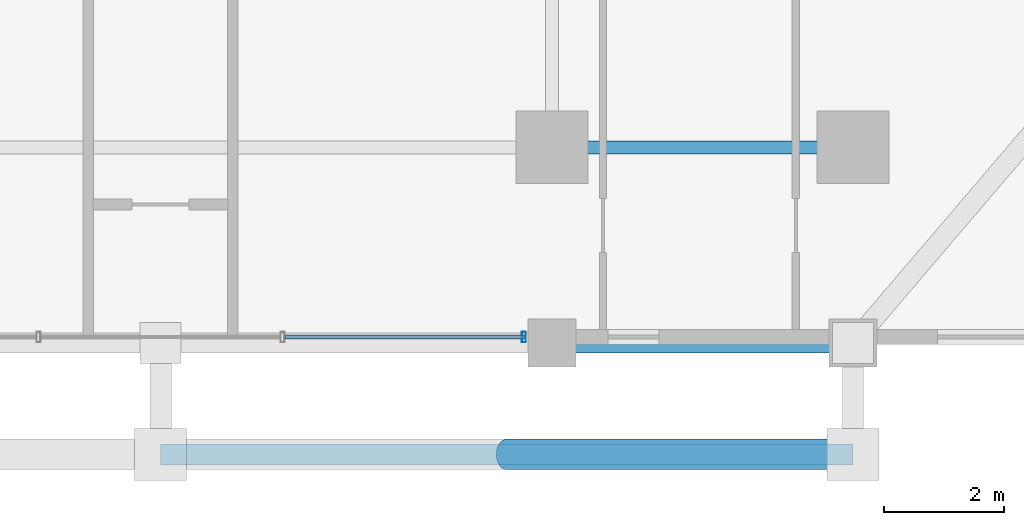
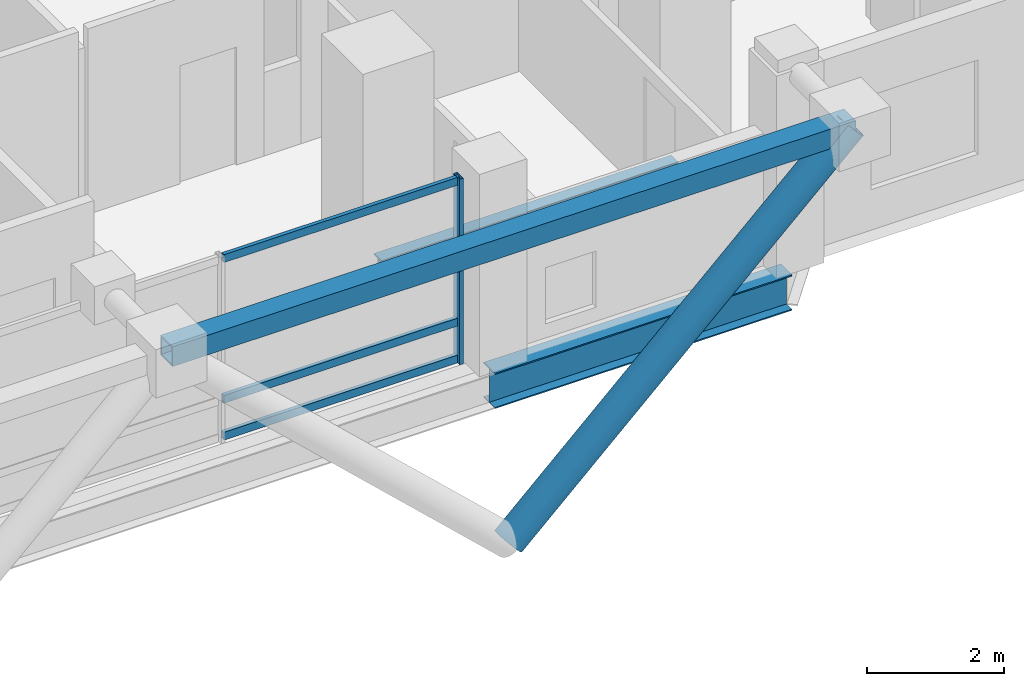
# One storey, part 3 of 25: 6 members, 2 beams, 1 element without a shape of its own.
"""IFC4 building model written with IfcOpenShell, lengths in metres."""

from ifc_helpers import new_model, si_unit, direction, frame, origin, origin_2d, place, context, subcontext, project, spatial, hollow_rectangle, hollow_circle, i_section, extrude, material, layer, layer_set, material_profile, profile_set, type_object, element, aggregate, save


model = new_model("IFC4")

# Units and contexts
model_context = context("Model", 3, precision=1e-05, world=origin(), true_north=direction((0.0, 1.0)))
body_context = subcontext(model_context, "Body", "Model", "MODEL_VIEW")
ifc_project = project(units=[si_unit("LENGTHUNIT", "METRE"), si_unit("AREAUNIT", "SQUARE_METRE"), si_unit("VOLUMEUNIT", "CUBIC_METRE"), si_unit("PLANEANGLEUNIT", "RADIAN"), si_unit("MASSUNIT", "GRAM", prefix="KILO")], contexts=[model_context])

# Site, building, storey
site_placement = place(None, origin())
site = spatial("IfcSite", under=ifc_project, at=site_placement, CompositionType="ELEMENT")
building_placement = place(site_placement, origin())
building = spatial("IfcBuilding", under=site, at=building_placement, Name="Barlavira Tower and Art Museum", CompositionType="ELEMENT")
storey_placement = place(building_placement, frame((0.0, 0.0, 162.0)))
storey = spatial("IfcBuildingStorey", under=building, at=storey_placement, Name="L41", CompositionType="ELEMENT", Elevation=162.0)

# Curtain wall, members
ifc_material_1 = material(Name="Low-iron coastal laminated glass", Category="glass")
ifc_layer = layer(ifc_material_1, 0.18994140625, Name="Low-iron coastal laminated glass")
ifc_layer_set = layer_set([ifc_layer], Name="Low-iron coastal laminated glass")
curtain_wall_type = type_object("IfcCurtainWallType", Name="Pale-Metal Unitised Curtain Wall Zone 2", PredefinedType="NOTDEFINED", material=ifc_layer_set)
curtain_wall_placement = place(storey_placement, origin())
curtain_wall = element("IfcCurtainWall", 1, at=curtain_wall_placement, inside=storey, type_object=curtain_wall_type, Name="L41 Curtain Wall CW2-L41-S-B3", PredefinedType="NOTDEFINED")
ifc_material_2 = material(Name="Pale anodised aluminium", Category="aluminium")
ifc_material_profile_1 = material_profile(ifc_material_2, hollow_rectangle(XDim=0.06494140625, YDim=0.179931640625, WallThickness=0.00390625, at=origin_2d()), Name="ALU-MULL 65x180x4")
ifc_profile_set_1 = profile_set([ifc_material_profile_1], Name="Pale anodised aluminium")
member_type_1 = type_object("IfcMemberType", Name="Curtain Wall Pale-Metal Mullion 65x180", PredefinedType="MULLION", material=ifc_profile_set_1)
member_1_placement = place(storey_placement, frame((6.034912109375, -23.14990234375, 0.0), z_axis=(0.0, 0.0, 1.0), x_axis=(1.0, 0.0, 0.0)))
member_1 = element("IfcMember", 2, at=member_1_placement, type_object=member_type_1, Name="CW2-L41-S-B3 Mullion 3", PredefinedType="MULLION", context=body_context, shape_type="SweptSolid", body=[
    extrude(hollow_rectangle(XDim=0.06494140625, YDim=0.179931640625, WallThickness=0.00390625, at=origin_2d()), origin(), (0.0, 0.0, 1.0), 3.300048828125),
])
ifc_material_profile_2 = material_profile(ifc_material_2, hollow_rectangle(XDim=0.06494140625, YDim=0.139892578125, WallThickness=0.00390625, at=origin_2d()), Name="ALU-TRAN 65x140x4")
ifc_profile_set_2 = profile_set([ifc_material_profile_2], Name="Pale anodised aluminium")
member_type_2 = type_object("IfcMemberType", Name="Curtain Wall Pale-Metal Transom 65x140", PredefinedType="USERDEFINED", material=ifc_profile_set_2)
member_2_placement = place(storey_placement, frame((2.07177734375, -23.14990234375, 0.070068359375), z_axis=(1.0, 0.0, 0.0), x_axis=(0.0, 1.0, 0.0)))
member_2 = element("IfcMember", 3, at=member_2_placement, type_object=member_type_2, Name="CW2-L41-S-B3 Transom 2.1", ObjectType="TRANSOM", PredefinedType="USERDEFINED", context=body_context, shape_type="SweptSolid", body=[
    extrude(hollow_rectangle(XDim=0.06494140625, YDim=0.139892578125, WallThickness=0.00390625, at=origin_2d()), origin(), (0.0, 0.0, 1.0), 3.963134765625),
])
member_3_placement = place(storey_placement, frame((2.07177734375, -23.14990234375, 0.72607421875), z_axis=(1.0, 0.0, 0.0), x_axis=(0.0, 1.0, 0.0)))
member_3 = element("IfcMember", 4, at=member_3_placement, type_object=member_type_2, Name="CW2-L41-S-B3 Transom 2.2", ObjectType="TRANSOM", PredefinedType="USERDEFINED", context=body_context, shape_type="SweptSolid", body=[
    extrude(hollow_rectangle(XDim=0.06494140625, YDim=0.139892578125, WallThickness=0.00390625, at=origin_2d()), origin(), (0.0, 0.0, 1.0), 3.963134765625),
])
member_4_placement = place(storey_placement, frame((2.07177734375, -23.14990234375, 3.22998046875), z_axis=(1.0, 0.0, 0.0), x_axis=(0.0, 1.0, 0.0)))
member_4 = element("IfcMember", 5, at=member_4_placement, type_object=member_type_2, Name="CW2-L41-S-B3 Transom 2.3", ObjectType="TRANSOM", PredefinedType="USERDEFINED", context=body_context, shape_type="SweptSolid", body=[
    extrude(hollow_rectangle(XDim=0.06494140625, YDim=0.139892578125, WallThickness=0.00390625, at=origin_2d()), origin(), (0.0, 0.0, 1.0), 3.963134765625),
])
aggregate(curtain_wall, [member_1, member_2, member_3, member_4])

# Members
ifc_material_3 = material(Name="Steel S355", Category="steel")
ifc_material_profile_3 = material_profile(ifc_material_3, hollow_circle(Radius=0.25390625, WallThickness=0.022216796875, at=origin_2d()), Name="CHS 508.0x22.2")
ifc_profile_set_3 = profile_set([ifc_material_profile_3], Name="Steel S355")
member_type_3 = type_object("IfcMemberType", Name="Pale-Metal Exoskeleton Diagrid Tube CHS 508x22 Steel S355", PredefinedType="BRACE", material=ifc_profile_set_3)
member_5_placement = place(storey_placement, frame((5.75, -25.10009765625, -1.919921875), z_axis=(0.728950095515, 0.0, 0.684566839869), x_axis=(0.0, 1.0, 0.0)))
element("IfcMember", 6, at=member_5_placement, inside=storey, type_object=member_type_3, Name="L41 Exoskeleton Diagrid Tube S", PredefinedType="BRACE", context=body_context, shape_type="SweptSolid", body=[
    extrude(hollow_circle(Radius=0.25390625, WallThickness=0.022216796875, at=origin_2d()), origin(), (0.0, 0.0, 1.0), 7.887939453125),
])
ifc_material_profile_4 = material_profile(ifc_material_3, hollow_rectangle(XDim=0.35009765625, YDim=0.35009765625, WallThickness=0.02001953125, at=origin_2d()), Name="SHS 350x350x20.0")
ifc_profile_set_4 = profile_set([ifc_material_profile_4], Name="Steel S355")
member_type_4 = type_object("IfcMemberType", Name="Pale-Metal Exoskeleton Ring Strut SHS 350x350x20 Steel S355", PredefinedType="STRUT", material=ifc_profile_set_4)
member_6_placement = place(storey_placement, frame((0.0, -25.10009765625, 3.47998046875), z_axis=(1.0, 0.0, 0.0), x_axis=(0.0, 1.0, 0.0)))
element("IfcMember", 7, at=member_6_placement, inside=storey, type_object=member_type_4, Name="L41 Exoskeleton Top Ring Strut S", PredefinedType="STRUT", context=body_context, shape_type="SweptSolid", body=[
    extrude(hollow_rectangle(XDim=0.35009765625, YDim=0.35009765625, WallThickness=0.02001953125, at=origin_2d()), origin(), (0.0, 0.0, 1.0), 11.5),
])

# Beams
ifc_material_profile_5 = material_profile(ifc_material_3, i_section(OverallWidth=0.327880859375, OverallDepth=0.62890625, WebThickness=0.013916015625, FlangeThickness=0.021484375, at=origin_2d()), Name="W610x174.0")
ifc_profile_set_5 = profile_set([ifc_material_profile_5], Name="Steel S355")
beam_type_1 = type_object("IfcBeamType", Name="Perimeter Spandrel Edge Beam W610x174 Steel S355", PredefinedType="SPANDREL", material=ifc_profile_set_5)
beam_1_placement = place(storey_placement, frame((6.5, -23.25, -0.534423828125), z_axis=(1.0, 0.0, 0.0), x_axis=(0.0, 1.0, 0.0)))
element("IfcBeam", 8, at=beam_1_placement, inside=storey, type_object=beam_type_1, Name="L41 Spandrel 3", PredefinedType="SPANDREL", context=body_context, shape_type="SweptSolid", body=[
    extrude(i_section(OverallWidth=0.327880859375, OverallDepth=0.62890625, WebThickness=0.013916015625, FlangeThickness=0.021484375, at=origin_2d()), origin(), (0.0, 0.0, 1.0), 5.0),
])
ifc_material_profile_6 = material_profile(ifc_material_3, i_section(OverallWidth=0.214111328125, OverallDepth=0.549072265625, WebThickness=0.0146484375, FlangeThickness=0.023681640625, at=origin_2d()), Name="W530x138.0")
ifc_profile_set_6 = profile_set([ifc_material_profile_6], Name="Steel S355")
beam_type_2 = type_object("IfcBeamType", Name="Zone 1 Primary Floor Girder W530x138 Steel S355", PredefinedType="BEAM", material=ifc_profile_set_6)
beam_2_placement = place(storey_placement, frame((6.5, -20.0, -0.494384765625), z_axis=(1.0, 0.0, 0.0), x_axis=(0.0, 1.0, 0.0)))
element("IfcBeam", 9, at=beam_2_placement, inside=storey, type_object=beam_type_2, Name="L41 Girder M-S3", PredefinedType="BEAM", context=body_context, shape_type="SweptSolid", body=[
    extrude(i_section(OverallWidth=0.214111328125, OverallDepth=0.549072265625, WebThickness=0.0146484375, FlangeThickness=0.023681640625, at=origin_2d()), origin(), (0.0, 0.0, 1.0), 5.0),
])

save(model, "model.ifc")
